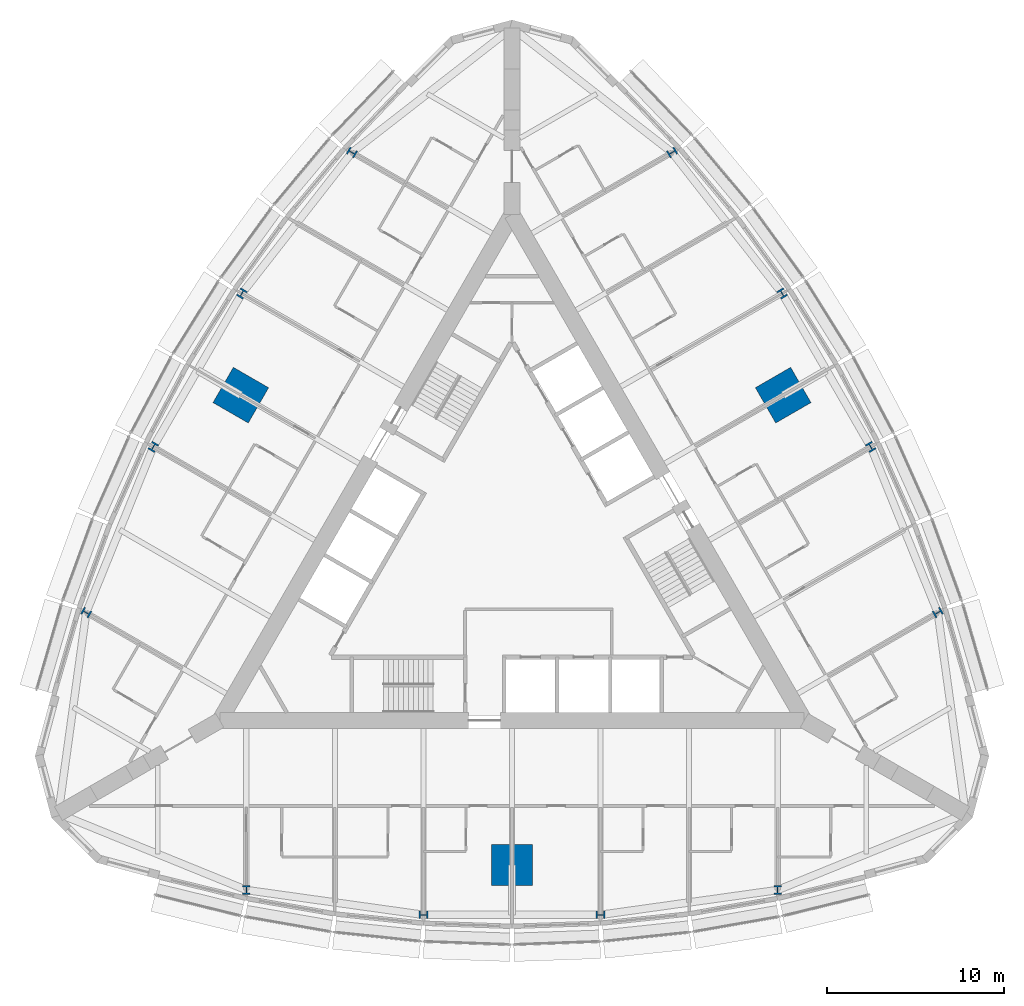
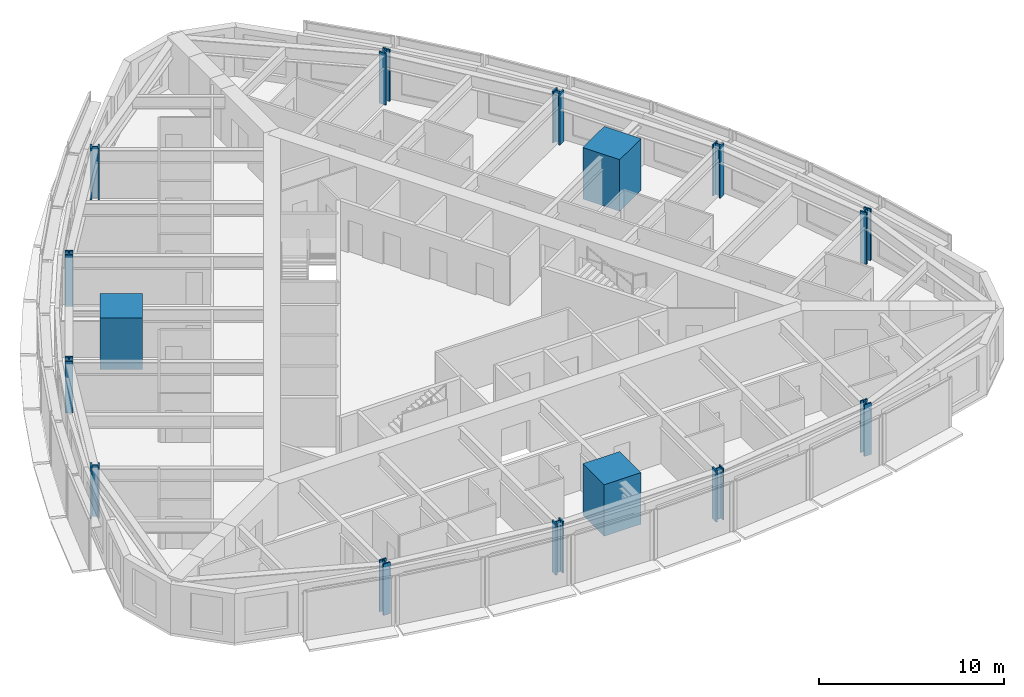
# One storey, part 1 of 14: 15 columns.
"""IFC4 building model written with IfcOpenShell, lengths in metres."""

from ifc_helpers import new_model, si_unit, direction, frame, origin, origin_2d, place, context, subcontext, project, spatial, rectangle, i_section, extrude, material, material_profile, profile_set, type_object, element, save


model = new_model("IFC4")

# Units and contexts
model_context = context("Model", 3, precision=1e-05, world=origin(), true_north=direction((0.0, 1.0)))
body_context = subcontext(model_context, "Body", "Model", "MODEL_VIEW")
ifc_project = project(units=[si_unit("LENGTHUNIT", "METRE"), si_unit("AREAUNIT", "SQUARE_METRE"), si_unit("VOLUMEUNIT", "CUBIC_METRE"), si_unit("PLANEANGLEUNIT", "RADIAN"), si_unit("MASSUNIT", "GRAM", prefix="KILO")], contexts=[model_context])

# Site, building, storey
site_placement = place(None, origin())
site = spatial("IfcSite", under=ifc_project, at=site_placement, CompositionType="ELEMENT")
building_placement = place(site_placement, origin())
building = spatial("IfcBuilding", under=site, at=building_placement, Name="Trikona Tower", CompositionType="ELEMENT")
storey_placement = place(building_placement, frame((0.0, 0.0, 152.10009765625)))
storey = spatial("IfcBuildingStorey", under=building, at=storey_placement, Name="L40", CompositionType="ELEMENT", Elevation=152.10009765625)

# Columns
ifc_material_1 = material(Name="Concrete f'c 10000 psi with encased steel section", Category="concrete")
ifc_material_profile_1 = material_profile(ifc_material_1, rectangle(XDim=2.300048828125, YDim=2.300048828125, at=origin_2d()), Name="MC2300")
ifc_profile_set_1 = profile_set([ifc_material_profile_1], Name="Concrete f'c 10000 psi with encased steel section")
column_type_1 = type_object("IfcColumnType", Name="Composite mega column 2300x2300", PredefinedType="COLUMN", material=ifc_profile_set_1)
for number, where, z_axis, x_axis, name in (
    (1, (0.0, -17.680419921875, 0.0), (0.0, 0.0, 1.0), (0.0, -1.0, 0.0), "Mega column MC1"),
    (2, (15.311767578125, 8.84033203125, 0.0), (0.0, 0.0, 1.0), (0.866025403784, 0.5, 0.0), "Mega column MC2"),
    (3, (-15.311767578125, 8.84033203125, 0.0), (0.0, 0.0, 1.0), (-0.866025403784, 0.5, 0.0), "Mega column MC3"),
):
    element("IfcColumn", number, at=place(storey_placement, frame(where, z_axis=z_axis, x_axis=x_axis)), inside=storey, type_object=column_type_1, Name=name, PredefinedType="COLUMN", context=body_context, shape_type="SweptSolid", body=[
        extrude(rectangle(XDim=2.300048828125, YDim=2.300048828125, at=origin_2d()), origin(), (0.0, 0.0, 1.0), 3.39990234375),
    ])
ifc_material_2 = material(Name="Steel ASTM A992 Grade 50", Category="steel")
ifc_material_profile_2 = material_profile(ifc_material_2, i_section(OverallWidth=0.431884765625, OverallDepth=0.497802734375, WebThickness=0.0556640625, FlangeThickness=0.0888671875, at=origin_2d()), Name="W14X500")
ifc_profile_set_2 = profile_set([ifc_material_profile_2], Name="Steel ASTM A992 Grade 50")
column_type_2 = type_object("IfcColumnType", Name="Steel column W14x500", PredefinedType="COLUMN", material=ifc_profile_set_2)
for number, where, z_axis, x_axis, name in (
    (4, (-15.0, -19.10009765625, 0.0), (0.0, 0.0, 1.0), (1.0, 0.0, 0.0), "Column F0m15"),
    (5, (-5.0, -20.500244140625, 0.0), (0.0, 0.0, 1.0), (0.0, -1.0, 0.0), "Column F0m5"),
    (6, (5.0, -20.500244140625, 0.0), (0.0, 0.0, 1.0), (0.0, -1.0, 0.0), "Column F0p5"),
    (7, (15.0, -19.10009765625, 0.0), (0.0, 0.0, 1.0), (1.0, 0.0, 0.0), "Column F0p15"),
    (8, (24.041259765625, -3.440185546875, 0.0), (0.0, 0.0, 1.0), (-0.5, 0.866025403784, 0.0), "Column F1m15"),
    (9, (20.253662109375, 5.919921875, 0.0), (0.0, 0.0, 1.0), (0.866025403784, 0.5, 0.0), "Column F1m5"),
    (10, (15.253662109375, 14.580078125, 0.0), (0.0, 0.0, 1.0), (0.866025403784, 0.5, 0.0), "Column F1p5"),
    (11, (9.041259765625, 22.54052734375, 0.0), (0.0, 0.0, 1.0), (-0.5, 0.866025403784, 0.0), "Column F1p15"),
    (12, (-9.041259765625, 22.54052734375, 0.0), (0.0, 0.0, 1.0), (-0.5, -0.866025403784, 0.0), "Column F2m15"),
    (13, (-15.253662109375, 14.580078125, 0.0), (0.0, 0.0, 1.0), (-0.866025403784, 0.5, 0.0), "Column F2m5"),
    (14, (-20.253662109375, 5.919921875, 0.0), (0.0, 0.0, 1.0), (-0.866025403784, 0.5, 0.0), "Column F2p5"),
    (15, (-24.041259765625, -3.440185546875, 0.0), (0.0, 0.0, 1.0), (-0.5, -0.866025403784, 0.0), "Column F2p15"),
):
    element("IfcColumn", number, at=place(storey_placement, frame(where, z_axis=z_axis, x_axis=x_axis)), inside=storey, type_object=column_type_2, Name=name, PredefinedType="COLUMN", context=body_context, shape_type="SweptSolid", body=[
        extrude(i_section(OverallWidth=0.431884765625, OverallDepth=0.497802734375, WebThickness=0.0556640625, FlangeThickness=0.0888671875, at=origin_2d()), origin(), (0.0, 0.0, 1.0), 3.39990234375),
    ])

save(model, "model.ifc")
